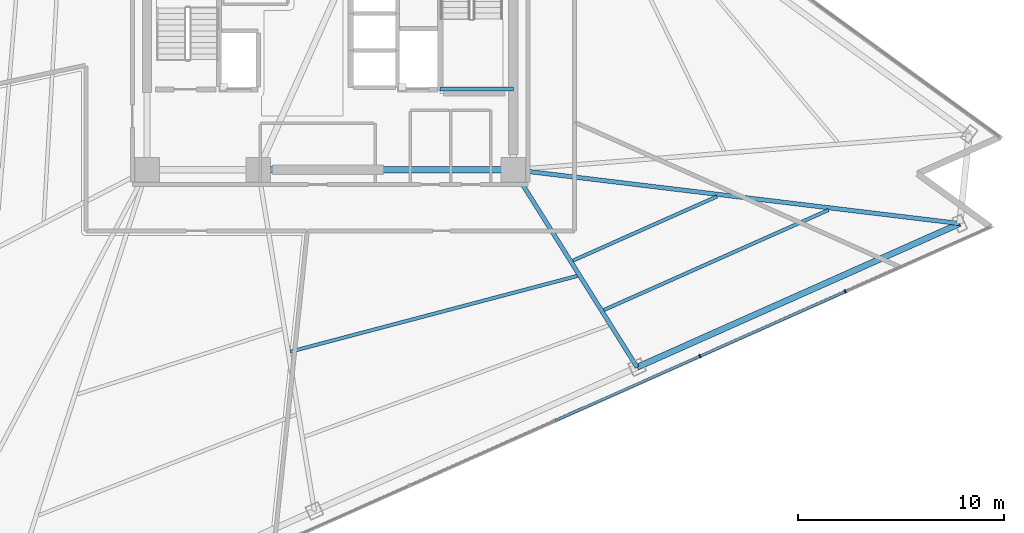
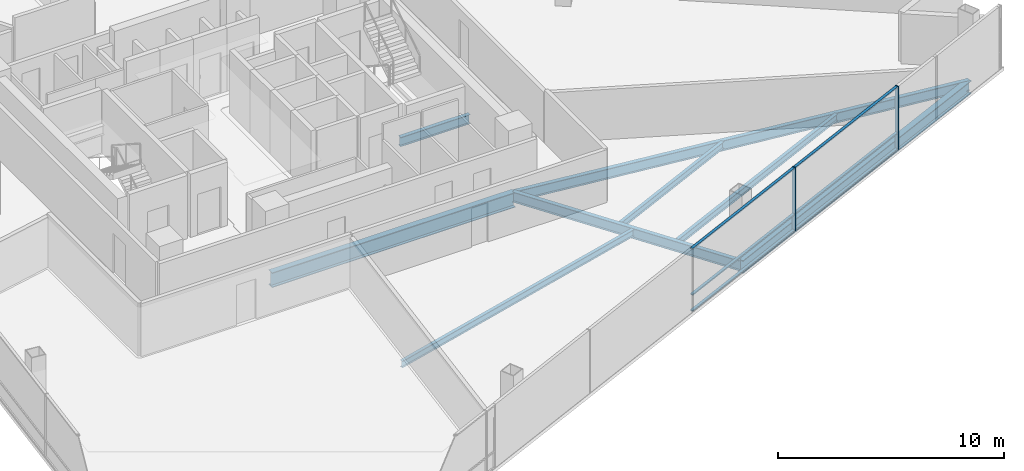
# One storey, part 5 of 16: 8 beams, 8 members, 1 element without a shape of its own.
"""IFC4 building model written with IfcOpenShell, lengths in metres."""

from ifc_helpers import new_model, si_unit, direction, frame, origin, origin_2d, place, context, subcontext, project, spatial, rectangle, i_section, extrude, material, layer, layer_set, material_profile, profile_set, type_object, element, aggregate, save


model = new_model("IFC4")

# Units and contexts
model_context = context("Model", 3, precision=1e-05, world=origin(), true_north=direction((0.0, 1.0)))
body_context = subcontext(model_context, "Body", "Model", "MODEL_VIEW")
ifc_project = project(units=[si_unit("LENGTHUNIT", "METRE"), si_unit("AREAUNIT", "SQUARE_METRE"), si_unit("VOLUMEUNIT", "CUBIC_METRE"), si_unit("PLANEANGLEUNIT", "RADIAN"), si_unit("MASSUNIT", "GRAM", prefix="KILO")], contexts=[model_context])

# Site, building, storey
site_placement = place(None, origin())
site = spatial("IfcSite", under=ifc_project, at=site_placement, CompositionType="ELEMENT")
building_placement = place(site_placement, origin())
building = spatial("IfcBuilding", under=site, at=building_placement, Name="Tharavind Bronze Gate", CompositionType="ELEMENT")
storey_placement = place(building_placement, frame((0.0, 0.0, 130.449951171875)))
storey = spatial("IfcBuildingStorey", under=building, at=storey_placement, Name="L33", CompositionType="ELEMENT", Elevation=130.449951171875)

# Curtain wall, members
ifc_material_1 = material(Name="Anodised Bronze Aluminium", Category="aluminium")
ifc_layer = layer(ifc_material_1, 0.219970703125)
ifc_layer_set = layer_set([ifc_layer], Name="Anodised Bronze Aluminium")
curtain_wall_type = type_object("IfcCurtainWallType", Name="UNITISED CURTAIN WALL LOWER OFFICE", PredefinedType="USERDEFINED", material=ifc_layer_set)
curtain_wall_placement = place(storey_placement, origin())
curtain_wall = element("IfcCurtainWall", 1, at=curtain_wall_placement, inside=storey, type_object=curtain_wall_type, Name="L33 unitised curtain wall lower office CW-L33-S2", ObjectType="UNITISED CURTAIN WALL", PredefinedType="USERDEFINED")
member_type_1 = type_object("IfcMemberType", Name="CURTAIN WALL BRONZE MULLION 65X180", PredefinedType="MULLION", material=ifc_material_1)
member_1_placement = place(storey_placement, frame((17.9755859375, -16.664306640625, 0.0), z_axis=(0.0, 0.0, 1.0), x_axis=(0.913545457643, 0.406736643076, 0.0)))
member_1 = element("IfcMember", 2, at=member_1_placement, type_object=member_type_1, Name="CW-L33-S2 mullion 6", PredefinedType="MULLION", context=body_context, shape_type="SweptSolid", body=[
    extrude(rectangle(XDim=0.06494140625, YDim=0.179931640625, at=origin_2d()), origin(), (0.0, 0.0, 1.0), 3.409912109375),
])
member_2_placement = place(storey_placement, frame((25.03759765625, -13.520263671875, 0.0), z_axis=(0.0, 0.0, 1.0), x_axis=(0.913545457643, 0.406736643076, 0.0)))
member_2 = element("IfcMember", 3, at=member_2_placement, type_object=member_type_1, Name="CW-L33-S2 mullion 7", PredefinedType="MULLION", context=body_context, shape_type="SweptSolid", body=[
    extrude(rectangle(XDim=0.06494140625, YDim=0.179931640625, at=origin_2d()), origin(), (0.0, 0.0, 1.0), 3.409912109375),
])
member_type_2 = type_object("IfcMemberType", Name="CURTAIN WALL BRONZE TRANSOM 65X140", PredefinedType="USERDEFINED", material=ifc_material_1)
member_3_placement = place(storey_placement, frame((14.4443359375, -18.236572265625, 0.0), z_axis=(0.0, 0.0, 1.0), x_axis=(0.913545457643, 0.406736643076, 0.0)))
member_3 = element("IfcMember", 4, at=member_3_placement, type_object=member_type_2, Name="CW-L33-S2 transom TB5", ObjectType="TRANSOM", PredefinedType="USERDEFINED", context=body_context, shape_type="SweptSolid", body=[
    extrude(rectangle(XDim=7.677490234375, YDim=0.139892578125, at=origin_2d()), origin(), (0.0, 0.0, 1.0), 0.06494140625),
])
member_4_placement = place(storey_placement, frame((14.4443359375, -18.236572265625, 0.86767578125), z_axis=(0.0, 0.0, 1.0), x_axis=(0.913545457643, 0.406736643076, 0.0)))
member_4 = element("IfcMember", 5, at=member_4_placement, type_object=member_type_2, Name="CW-L33-S2 transom TS5", ObjectType="TRANSOM", PredefinedType="USERDEFINED", context=body_context, shape_type="SweptSolid", body=[
    extrude(rectangle(XDim=7.677490234375, YDim=0.139892578125, at=origin_2d()), origin(), (0.0, 0.0, 1.0), 0.06494140625),
])
member_5_placement = place(storey_placement, frame((14.4443359375, -18.236572265625, 3.344970703125), z_axis=(0.0, 0.0, 1.0), x_axis=(0.913545457643, 0.406736643076, 0.0)))
member_5 = element("IfcMember", 6, at=member_5_placement, type_object=member_type_2, Name="CW-L33-S2 transom TT5", ObjectType="TRANSOM", PredefinedType="USERDEFINED", context=body_context, shape_type="SweptSolid", body=[
    extrude(rectangle(XDim=7.677490234375, YDim=0.139892578125, at=origin_2d()), origin(), (0.0, 0.0, 1.0), 0.06494140625),
])
member_6_placement = place(storey_placement, frame((21.506591796875, -15.09228515625, 0.0), z_axis=(0.0, 0.0, 1.0), x_axis=(0.913545457643, 0.406736643076, 0.0)))
member_6 = element("IfcMember", 7, at=member_6_placement, type_object=member_type_2, Name="CW-L33-S2 transom TB6", ObjectType="TRANSOM", PredefinedType="USERDEFINED", context=body_context, shape_type="SweptSolid", body=[
    extrude(rectangle(XDim=7.677490234375, YDim=0.139892578125, at=origin_2d()), origin(), (0.0, 0.0, 1.0), 0.06494140625),
])
member_7_placement = place(storey_placement, frame((21.506591796875, -15.09228515625, 0.86767578125), z_axis=(0.0, 0.0, 1.0), x_axis=(0.913545457643, 0.406736643076, 0.0)))
member_7 = element("IfcMember", 8, at=member_7_placement, type_object=member_type_2, Name="CW-L33-S2 transom TS6", ObjectType="TRANSOM", PredefinedType="USERDEFINED", context=body_context, shape_type="SweptSolid", body=[
    extrude(rectangle(XDim=7.677490234375, YDim=0.139892578125, at=origin_2d()), origin(), (0.0, 0.0, 1.0), 0.06494140625),
])
member_8_placement = place(storey_placement, frame((21.506591796875, -15.09228515625, 3.344970703125), z_axis=(0.0, 0.0, 1.0), x_axis=(0.913545457643, 0.406736643076, 0.0)))
member_8 = element("IfcMember", 9, at=member_8_placement, type_object=member_type_2, Name="CW-L33-S2 transom TT6", ObjectType="TRANSOM", PredefinedType="USERDEFINED", context=body_context, shape_type="SweptSolid", body=[
    extrude(rectangle(XDim=7.677490234375, YDim=0.139892578125, at=origin_2d()), origin(), (0.0, 0.0, 1.0), 0.06494140625),
])
aggregate(curtain_wall, [member_1, member_2, member_3, member_4, member_5, member_6, member_7, member_8])

# Beams
ifc_material_2 = material(Name="Steel S355", Category="steel")
ifc_material_profile_1 = material_profile(ifc_material_2, i_section(OverallWidth=0.199951171875, OverallDepth=0.5, WebThickness=0.01025390625, FlangeThickness=0.01611328125, at=origin_2d()), Name="IPE500")
ifc_profile_set_1 = profile_set([ifc_material_profile_1], Name="Steel S355")
beam_type_1 = type_object("IfcBeamType", Name="PRIMARY GIRDER IPE500", PredefinedType="USERDEFINED", material=ifc_profile_set_1)
beam_1_placement = place(storey_placement, frame((5.35009765625, -3.679931640625, 1.35009765625), z_axis=(1.0, 0.0, 0.0), x_axis=(0.0, 1.0, 0.0)))
element("IfcBeam", 10, at=beam_1_placement, inside=storey, type_object=beam_type_1, Name="L33 primary girder ipe500 BM-LD-ST2-L33-1", ObjectType="GIRDER", PredefinedType="USERDEFINED", context=body_context, shape_type="SweptSolid", body=[
    extrude(i_section(OverallWidth=0.199951171875, OverallDepth=0.5, WebThickness=0.01025390625, FlangeThickness=0.01611328125, at=origin_2d()), origin(), (0.0, 0.0, 1.0), 3.5498046875),
])
ifc_material_profile_2 = material_profile(ifc_material_2, i_section(OverallWidth=0.2099609375, OverallDepth=0.550048828125, WebThickness=0.010986328125, FlangeThickness=0.01708984375, at=origin_2d()), Name="IPE550")
ifc_profile_set_2 = profile_set([ifc_material_profile_2], Name="Steel S355")
beam_type_2 = type_object("IfcBeamType", Name="PRIMARY GIRDER IPE550", PredefinedType="USERDEFINED", material=ifc_profile_set_2)
beam_2_placement = place(storey_placement, frame((14.9208984375, -17.20361328125, -0.46484375), z_axis=(-0.531191038732, 0.84725207605, 0.0), x_axis=(-0.84725207605, -0.531191038732, 0.0)))
element("IfcBeam", 11, at=beam_2_placement, inside=storey, type_object=beam_type_2, Name="L33 primary girder ipe550 BM-L33-RAD07", ObjectType="GIRDER", PredefinedType="USERDEFINED", context=body_context, shape_type="SweptSolid", body=[
    extrude(i_section(OverallWidth=0.2099609375, OverallDepth=0.550048828125, WebThickness=0.010986328125, FlangeThickness=0.01708984375, at=origin_2d()), origin(), (0.0, 0.0, 1.0), 11.3349609375),
])
beam_3_placement = place(storey_placement, frame((30.60791015625, -10.218994140625, -0.46484375), z_axis=(-0.992801245425, 0.119773482384, 0.0), x_axis=(-0.119773482384, -0.992801245425, 0.0)))
element("IfcBeam", 12, at=beam_3_placement, inside=storey, type_object=beam_type_2, Name="L33 primary girder ipe550 BM-L33-RAD08", ObjectType="GIRDER", PredefinedType="USERDEFINED", context=body_context, shape_type="SweptSolid", body=[
    extrude(i_section(OverallWidth=0.2099609375, OverallDepth=0.550048828125, WebThickness=0.010986328125, FlangeThickness=0.01708984375, at=origin_2d()), origin(), (0.0, 0.0, 1.0), 21.865478515625),
])
ifc_material_profile_3 = material_profile(ifc_material_2, i_section(OverallWidth=0.300048828125, OverallDepth=0.699951171875, WebThickness=0.01708984375, FlangeThickness=0.031982421875, at=origin_2d()), Name="HE700B")
ifc_profile_set_3 = profile_set([ifc_material_profile_3], Name="Steel S355")
beam_type_3 = type_object("IfcBeamType", Name="RING GIRDER HE700B", PredefinedType="USERDEFINED", material=ifc_profile_set_3)
beam_4_placement = place(storey_placement, frame((14.9208984375, -17.20361328125, -0.5400390625), z_axis=(0.913538716284, 0.406751784078, 0.0), x_axis=(-0.406751784078, 0.913538716284, 0.0)))
element("IfcBeam", 13, at=beam_4_placement, inside=storey, type_object=beam_type_3, Name="L33 ring girder he700b BM-L33-PRG07", ObjectType="GIRDER", PredefinedType="USERDEFINED", context=body_context, shape_type="SweptSolid", body=[
    extrude(i_section(OverallWidth=0.300048828125, OverallDepth=0.699951171875, WebThickness=0.01708984375, FlangeThickness=0.031982421875, at=origin_2d()), origin(), (0.0, 0.0, 1.0), 17.171630859375),
])
ifc_material_profile_4 = material_profile(ifc_material_2, i_section(OverallWidth=0.300048828125, OverallDepth=0.800048828125, WebThickness=0.017578125, FlangeThickness=0.032958984375, at=origin_2d()), Name="HE800B")
ifc_profile_set_4 = profile_set([ifc_material_profile_4], Name="Steel S355")
beam_type_4 = type_object("IfcBeamType", Name="RING GIRDER HE800B", PredefinedType="USERDEFINED", material=ifc_profile_set_4)
beam_5_placement = place(storey_placement, frame((-3.5, -7.60009765625, -0.58984375), z_axis=(1.0, 0.0, 0.0), x_axis=(0.0, 1.0, 0.0)))
element("IfcBeam", 14, at=beam_5_placement, inside=storey, type_object=beam_type_4, Name="L33 ring girder he800b BM-L33-CR2", ObjectType="GIRDER", PredefinedType="USERDEFINED", context=body_context, shape_type="SweptSolid", body=[
    extrude(i_section(OverallWidth=0.300048828125, OverallDepth=0.800048828125, WebThickness=0.017578125, FlangeThickness=0.032958984375, at=origin_2d()), origin(), (0.0, 0.0, 1.0), 12.39990234375),
])
ifc_material_profile_5 = material_profile(ifc_material_2, i_section(OverallWidth=0.169921875, OverallDepth=0.360107421875, WebThickness=0.008056640625, FlangeThickness=0.0126953125, at=origin_2d()), Name="IPE360")
ifc_profile_set_5 = profile_set([ifc_material_profile_5], Name="Steel S355")
beam_type_5 = type_object("IfcBeamType", Name="SECONDARY FLOOR JOIST IPE360", PredefinedType="JOIST", material=ifc_profile_set_5)
beam_6_placement = place(storey_placement, frame((-1.931640625, -16.446533203125, -0.369873046875), z_axis=(0.966897979759, 0.255163274667, 0.0), x_axis=(-0.255163274667, 0.966897979759, 0.0)))
element("IfcBeam", 15, at=beam_6_placement, inside=storey, type_object=beam_type_5, Name="L33 secondary floor joist ipe360 BM-L33-JSTA06", PredefinedType="JOIST", context=body_context, shape_type="SweptSolid", body=[
    extrude(i_section(OverallWidth=0.169921875, OverallDepth=0.360107421875, WebThickness=0.008056640625, FlangeThickness=0.0126953125, at=origin_2d()), origin(), (0.0, 0.0, 1.0), 14.419921875),
])
beam_7_placement = place(storey_placement, frame((11.80029296875, -12.02099609375, -0.369873046875), z_axis=(0.913531613224, 0.406767736725, 0.0), x_axis=(-0.406767736725, 0.913531613224, 0.0)))
element("IfcBeam", 16, at=beam_7_placement, inside=storey, type_object=beam_type_5, Name="L33 secondary floor joist ipe360 BM-L33-JSTA07", PredefinedType="JOIST", context=body_context, shape_type="SweptSolid", body=[
    extrude(i_section(OverallWidth=0.169921875, OverallDepth=0.360107421875, WebThickness=0.008056640625, FlangeThickness=0.0126953125, at=origin_2d()), origin(), (0.0, 0.0, 1.0), 7.666259765625),
])
beam_8_placement = place(storey_placement, frame((13.305419921875, -14.421630859375, -0.369873046875), z_axis=(0.913552919098, 0.406719883959, 0.0), x_axis=(-0.406719883959, 0.913552919098, 0.0)))
element("IfcBeam", 17, at=beam_8_placement, inside=storey, type_object=beam_type_5, Name="L33 secondary floor joist ipe360 BM-L33-JSTB07", PredefinedType="JOIST", context=body_context, shape_type="SweptSolid", body=[
    extrude(i_section(OverallWidth=0.169921875, OverallDepth=0.360107421875, WebThickness=0.008056640625, FlangeThickness=0.0126953125, at=origin_2d()), origin(), (0.0, 0.0, 1.0), 11.959228515625),
])

save(model, "model.ifc")
